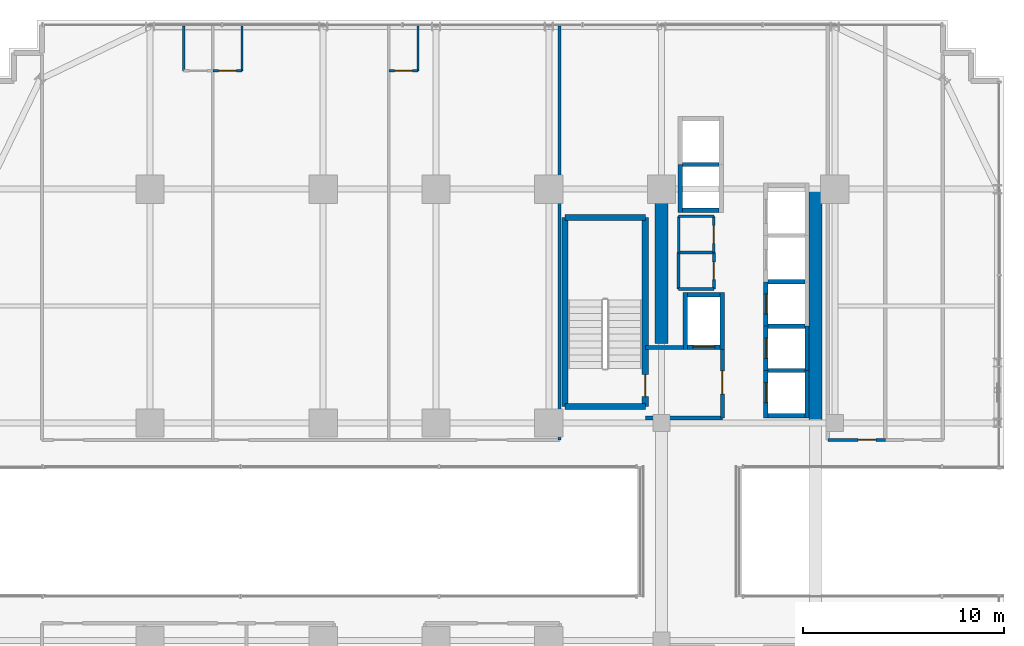
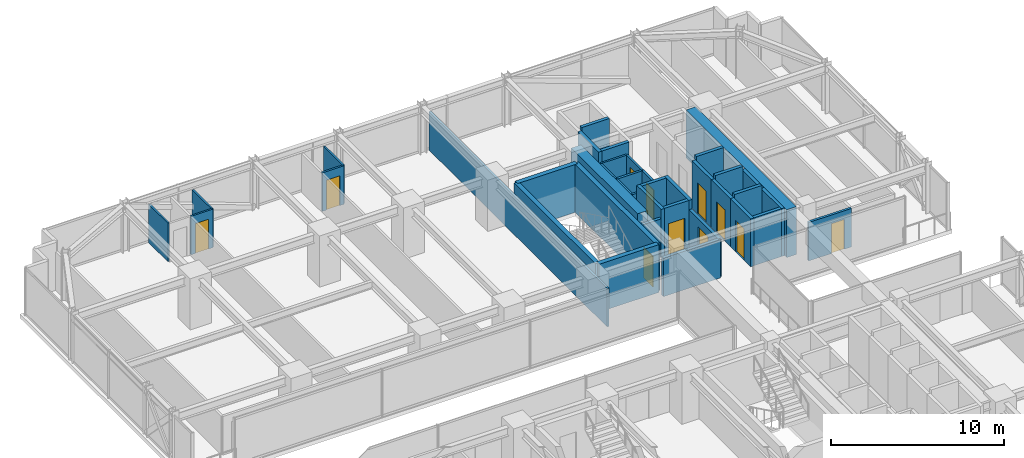
# One storey, part 33 of 38: 39 walls, 11 doors, 11 openings.
"""IFC4 building model written with IfcOpenShell, lengths in metres."""

from ifc_helpers import new_model, si_unit, direction, frame, frame_2d, origin, place, context, subcontext, project, spatial, rectangle, extrude, source, transform, mapped, material, layer, layer_set, type_object, element, fill, save


model = new_model("IFC4")

# Units and contexts
model_context = context("Model", 3, precision=1e-05, world=origin(), true_north=direction((0.0, 1.0)))
body_context = subcontext(model_context, "Body", "Model", "MODEL_VIEW")
ifc_project = project(units=[si_unit("LENGTHUNIT", "METRE"), si_unit("AREAUNIT", "SQUARE_METRE"), si_unit("VOLUMEUNIT", "CUBIC_METRE"), si_unit("PLANEANGLEUNIT", "RADIAN"), si_unit("MASSUNIT", "GRAM", prefix="KILO")], contexts=[model_context])

# Site, building, storey
site_placement = place(None, origin())
site = spatial("IfcSite", under=ifc_project, at=site_placement, CompositionType="ELEMENT")
building_placement = place(site_placement, origin())
building = spatial("IfcBuilding", under=site, at=building_placement, Name="Nahalor Promenade Grand Hotel", CompositionType="ELEMENT")
storey_placement = place(building_placement, frame((0.0, 0.0, 50.64990234375)))
storey = spatial("IfcBuildingStorey", under=building, at=storey_placement, Name="L11", CompositionType="ELEMENT", Elevation=50.64990234375)

# Walls
ifc_material_1 = material(Name="Concrete B-60 (C50/60)", Category="concrete")
ifc_layer_1 = layer(ifc_material_1, 0.64990234375)
ifc_layer_set_1 = layer_set([ifc_layer_1], Name="Concrete B-60 (C50/60)")
wall_type_1 = type_object("IfcWallType", Name="Wall-CoreShear-650", PredefinedType="SHEAR", material=ifc_layer_set_1)
shared_shape_1 = source(origin(), body_context, "Body", "SweptSolid", [
    extrude(rectangle(XDim=7.64990234375, YDim=0.64990234375, at=frame_2d((3.824951171875, 0.0))), origin(), (0.0, 0.0, 1.0), 3.3701171875),
])
wall_1_placement = place(storey_placement, frame((8.39990234375, 9.35009765625, 0.0), z_axis=(0.0, 0.0, 1.0), x_axis=(0.0, 1.0, 0.0)))
element("IfcWall", 1, at=wall_1_placement, inside=storey, type_object=wall_type_1, Name="CWALL-L11-NW", PredefinedType="SHEAR", context=body_context, shape_type="MappedRepresentation", body=[
    mapped(shared_shape_1, transform((0.0, 0.0, 0.0), scale=1.0)),
])
shared_shape_2 = source(origin(), body_context, "Body", "SweptSolid", [
    extrude(rectangle(XDim=11.60009765625, YDim=0.64990234375, at=frame_2d((5.800048828125, 0.0))), origin(), (0.0, 0.0, 1.0), 3.3701171875),
])
wall_2_placement = place(storey_placement, frame((16.050048828125, 5.39990234375, 0.0), z_axis=(0.0, 0.0, 1.0), x_axis=(0.0, 1.0, 0.0)))
element("IfcWall", 2, at=wall_2_placement, inside=storey, type_object=wall_type_1, Name="CWALL-L11-NE", PredefinedType="SHEAR", context=body_context, shape_type="MappedRepresentation", body=[
    mapped(shared_shape_2, transform((0.0, 0.0, 0.0), scale=1.0)),
])
ifc_material_2 = material(Name="Concrete B-50 (C40/50)", Category="concrete")
ifc_layer_2 = layer(ifc_material_2, 0.300048828125)
ifc_layer_set_2 = layer_set([ifc_layer_2], Name="Concrete B-50 (C40/50)")
wall_type_2 = type_object("IfcWallType", Name="Wall-ShaftShear-300", PredefinedType="SHEAR", material=ifc_layer_set_2)
shared_shape_3 = source(origin(), body_context, "Body", "SweptSolid", [
    extrude(rectangle(XDim=3.97998046875, YDim=0.300048828125, at=frame_2d((1.989990234375, 0.0))), origin(), (0.0, 0.0, 1.0), 3.3701171875),
])
for number, where, z_axis, x_axis, name in (
    (3, (3.610107421875, 6.2099609375, 0.0), (0.0, 0.0, 1.0), (1.0, 0.0, 0.0), "L11 Exit Stair ST1 Shaft Wall S"),
    (4, (3.610107421875, 15.590087890625, 0.0), (0.0, 0.0, 1.0), (1.0, 0.0, 0.0), "L11 Exit Stair ST1 Shaft Wall N"),
):
    element("IfcWall", number, at=place(storey_placement, frame(where, z_axis=z_axis, x_axis=x_axis)), inside=storey, type_object=wall_type_2, Name=name, PredefinedType="SHEAR", context=body_context, shape_type="MappedRepresentation", body=[
        mapped(shared_shape_3, transform((0.0, 0.0, 0.0), scale=1.0)),
    ])
shared_shape_4 = source(origin(), body_context, "Body", "SweptSolid", [
    extrude(rectangle(XDim=9.380126953125, YDim=0.300048828125, at=frame_2d((4.68994140625, 0.0))), origin(), (0.0, 0.0, 1.0), 3.3701171875),
])
wall_3_placement = place(storey_placement, frame((3.610107421875, 6.2099609375, 0.0), z_axis=(0.0, 0.0, 1.0), x_axis=(0.0, 1.0, 0.0)))
element("IfcWall", 5, at=wall_3_placement, inside=storey, type_object=wall_type_2, Name="L11 Exit Stair ST1 Shaft Wall W", PredefinedType="SHEAR", context=body_context, shape_type="MappedRepresentation", body=[
    mapped(shared_shape_4, transform((0.0, 0.0, 0.0), scale=1.0)),
])

# Wall, opening, door
wall_4_placement = place(storey_placement, frame((7.590087890625, 6.2099609375, 0.0), z_axis=(0.0, 0.0, 1.0), x_axis=(0.0, 1.0, 0.0)))
wall_4 = element("IfcWall", 6, at=wall_4_placement, inside=storey, type_object=wall_type_2, Name="L11 Exit Stair ST1 Shaft Wall E", PredefinedType="SHEAR", context=body_context, shape_type="MappedRepresentation", body=[
    mapped(shared_shape_4, transform((0.0, 0.0, 0.0), scale=1.0)),
])
opening_1_placement = place(wall_4_placement, frame((0.489990234375, 0.0, 0.0)))
opening_1 = element("IfcOpeningElement", 7, at=opening_1_placement, cuts=wall_4, Name="Opening D-ST1", PredefinedType="OPENING", context=body_context, shape_type="SweptSolid", body=[
    extrude(rectangle(XDim=1.10009765625, YDim=2.14990234375, at=frame_2d((0.550048828125, 1.074951171875))), frame((0.0, 0.159912109375, 0.0), z_axis=(0.0, -1.0, 0.0), x_axis=(1.0, 0.0, 0.0)), (0.0, 0.0, 1.0), 0.320068359375),
])
ifc_material_3 = material(Name="Steel S355JR", Category="steel")
door_type_1 = type_object("IfcDoorType", Name="Door-StairFire-1100", OperationType="NOTDEFINED", PredefinedType="DOOR", material=ifc_material_3)
shared_shape_5 = source(origin(), body_context, "Body", "SweptSolid", [
    extrude(rectangle(XDim=1.10009765625, YDim=2.14990234375, at=frame_2d((0.550048828125, 1.074951171875))), frame((0.0, 0.02490234375, 0.0), z_axis=(0.0, -1.0, 0.0), x_axis=(1.0, 0.0, 0.0)), (0.0, 0.0, 1.0), 0.050048828125),
])
door_1_placement = place(opening_1_placement, origin())
door_1 = element("IfcDoor", 8, at=door_1_placement, inside=storey, type_object=door_type_1, Name="DR-STAIR-ST1-L11", OperationType="SINGLE_SWING_RIGHT", OverallHeight=2.14990234375, OverallWidth=1.10009765625, PredefinedType="DOOR", context=body_context, shape_type="MappedRepresentation", body=[
    mapped(shared_shape_5, transform((0.0, 0.0, 0.0), scale=1.0)),
])
fill(opening_1, door_1)

ifc_layer_3 = layer(ifc_material_2, 0.219970703125)
ifc_layer_set_3 = layer_set([ifc_layer_3], Name="Concrete B-50 (C40/50)")
wall_type_3 = type_object("IfcWallType", Name="Wall-LiftShaft-220", PredefinedType="SHEAR", material=ifc_layer_set_3)
shared_shape_6 = source(origin(), body_context, "Body", "SweptSolid", [
    extrude(rectangle(XDim=2.360107421875, YDim=0.219970703125, at=frame_2d((1.18017578125, 0.0))), origin(), (0.0, 0.0, 1.0), 3.3701171875),
])
wall_5_placement = place(storey_placement, frame((13.580078125, 5.639892578125, 0.0), z_axis=(0.0, 0.0, 1.0), x_axis=(0.0, 1.0, 0.0)))
wall_5 = element("IfcWall", 9, at=wall_5_placement, inside=storey, type_object=wall_type_3, Name="L11 Lift PL1 Hoistway Wall W", PredefinedType="SHEAR", context=body_context, shape_type="MappedRepresentation", body=[
    mapped(shared_shape_6, transform((0.0, 0.0, 0.0), scale=1.0)),
])
opening_2_placement = place(wall_5_placement, frame((0.760009765625, 0.0, 0.0)))
opening_2 = element("IfcOpeningElement", 10, at=opening_2_placement, cuts=wall_5, Name="Opening LD-01", PredefinedType="OPENING", context=body_context, shape_type="SweptSolid", body=[
    extrude(rectangle(XDim=1.0, YDim=2.199951171875, at=frame_2d((0.5, 1.10009765625))), frame((0.0, 0.119873046875, 0.0), z_axis=(0.0, -1.0, 0.0), x_axis=(1.0, 0.0, 0.0)), (0.0, 0.0, 1.0), 0.239990234375),
])
door_type_2 = type_object("IfcDoorType", Name="Door-LiftLanding-1000", OperationType="DOUBLE_DOOR_SLIDING", PredefinedType="DOOR", material=ifc_material_3)
shared_shape_7 = source(origin(), body_context, "Body", "SweptSolid", [
    extrude(rectangle(XDim=1.0, YDim=2.199951171875, at=frame_2d((0.5, 1.10009765625))), frame((0.0, 0.02490234375, 0.0), z_axis=(0.0, -1.0, 0.0), x_axis=(1.0, 0.0, 0.0)), (0.0, 0.0, 1.0), 0.050048828125),
])
door_2_placement = place(opening_2_placement, origin())
door_2 = element("IfcDoor", 11, at=door_2_placement, inside=storey, type_object=door_type_2, Name="DR-LIFT-PL1-L11", OperationType="DOUBLE_DOOR_SLIDING", OverallHeight=2.199951171875, OverallWidth=1.0, PredefinedType="DOOR", context=body_context, shape_type="MappedRepresentation", body=[
    mapped(shared_shape_7, transform((0.0, 0.0, 0.0), scale=1.0)),
])
fill(opening_2, door_2)

# Walls
wall_6_placement = place(storey_placement, frame((15.6201171875, 5.639892578125, 0.0), z_axis=(0.0, 0.0, 1.0), x_axis=(0.0, 1.0, 0.0)))
element("IfcWall", 12, at=wall_6_placement, inside=storey, type_object=wall_type_3, Name="L11 Lift PL1 Hoistway Wall E", PredefinedType="SHEAR", context=body_context, shape_type="MappedRepresentation", body=[
    mapped(shared_shape_6, transform((0.0, 0.0, 0.0), scale=1.0)),
])
shared_shape_8 = source(origin(), body_context, "Body", "SweptSolid", [
    extrude(rectangle(XDim=1.820068359375, YDim=0.219970703125, at=frame_2d((0.91015625, 0.0))), origin(), (0.0, 0.0, 1.0), 3.3701171875),
])
for number, where, z_axis, x_axis, name in (
    (13, (13.68994140625, 5.75, 0.0), (0.0, 0.0, 1.0), (1.0, 0.0, 0.0), "L11 Lift PL1 Hoistway Wall S"),
    (14, (9.43994140625, 15.949951171875, 0.0), (0.0, 0.0, 1.0), (1.0, 0.0, 0.0), "L11 Lift OB1 Hoistway Wall S"),
):
    element("IfcWall", number, at=place(storey_placement, frame(where, z_axis=z_axis, x_axis=x_axis)), inside=storey, type_object=wall_type_3, Name=name, PredefinedType="SHEAR", context=body_context, shape_type="MappedRepresentation", body=[
        mapped(shared_shape_8, transform((0.0, 0.0, 0.0), scale=1.0)),
    ])
shared_shape_9 = source(origin(), body_context, "Body", "SweptSolid", [
    extrude(rectangle(XDim=1.820068359375, YDim=0.219970703125, at=frame_2d((0.91015625, 0.0))), origin(), (0.0, 0.0, 1.0), 3.650146484375),
])
for number, where, z_axis, x_axis, name in (
    (15, (13.68994140625, 8.0, 0.0), (0.0, 0.0, 1.0), (1.0, 0.0, 0.0), "L11 Lift PL1 Hoistway Wall N"),
    (16, (13.68994140625, 10.199951171875, 0.0), (0.0, 0.0, 1.0), (1.0, 0.0, 0.0), "L11 Lift PL2 Hoistway Wall N"),
    (17, (13.68994140625, 12.39990234375, 0.0), (0.0, 0.0, 1.0), (1.0, 0.0, 0.0), "L11 Lift PL3 Hoistway Wall N"),
    (18, (9.43994140625, 18.22509765625, 0.0), (0.0, 0.0, 1.0), (1.0, 0.0, 0.0), "L11 Lift OB1 Hoistway Wall N"),
):
    element("IfcWall", number, at=place(storey_placement, frame(where, z_axis=z_axis, x_axis=x_axis)), inside=storey, type_object=wall_type_3, Name=name, PredefinedType="SHEAR", context=body_context, shape_type="MappedRepresentation", body=[
        mapped(shared_shape_9, transform((0.0, 0.0, 0.0), scale=1.0)),
    ])

# Wall, opening, door
shared_shape_10 = source(origin(), body_context, "Body", "SweptSolid", [
    extrude(rectangle(XDim=2.199951171875, YDim=0.219970703125, at=frame_2d((1.10009765625, 0.0))), origin(), (0.0, 0.0, 1.0), 3.3701171875),
])
wall_7_placement = place(storey_placement, frame((13.580078125, 8.0, 0.0), z_axis=(0.0, 0.0, 1.0), x_axis=(0.0, 1.0, 0.0)))
wall_7 = element("IfcWall", 19, at=wall_7_placement, inside=storey, type_object=wall_type_3, Name="L11 Lift PL2 Hoistway Wall W", PredefinedType="SHEAR", context=body_context, shape_type="MappedRepresentation", body=[
    mapped(shared_shape_10, transform((0.0, 0.0, 0.0), scale=1.0)),
])
opening_3_placement = place(wall_7_placement, frame((0.60009765625, 0.0, 0.0)))
opening_3 = element("IfcOpeningElement", 20, at=opening_3_placement, cuts=wall_7, Name="Opening LD-01", PredefinedType="OPENING", context=body_context, shape_type="SweptSolid", body=[
    extrude(rectangle(XDim=1.0, YDim=2.199951171875, at=frame_2d((0.5, 1.10009765625))), frame((0.0, 0.119873046875, 0.0), z_axis=(0.0, -1.0, 0.0), x_axis=(1.0, 0.0, 0.0)), (0.0, 0.0, 1.0), 0.239990234375),
])
door_3_placement = place(opening_3_placement, origin())
door_3 = element("IfcDoor", 21, at=door_3_placement, inside=storey, type_object=door_type_2, Name="DR-LIFT-PL2-L11", OperationType="DOUBLE_DOOR_SLIDING", OverallHeight=2.199951171875, OverallWidth=1.0, PredefinedType="DOOR", context=body_context, shape_type="MappedRepresentation", body=[
    mapped(shared_shape_7, transform((0.0, 0.0, 0.0), scale=1.0)),
])
fill(opening_3, door_3)

# Wall
wall_8_placement = place(storey_placement, frame((15.6201171875, 8.0, 0.0), z_axis=(0.0, 0.0, 1.0), x_axis=(0.0, 1.0, 0.0)))
element("IfcWall", 22, at=wall_8_placement, inside=storey, type_object=wall_type_3, Name="L11 Lift PL2 Hoistway Wall E", PredefinedType="SHEAR", context=body_context, shape_type="MappedRepresentation", body=[
    mapped(shared_shape_10, transform((0.0, 0.0, 0.0), scale=1.0)),
])

# Wall, opening, door
wall_9_placement = place(storey_placement, frame((13.580078125, 10.199951171875, 0.0), z_axis=(0.0, 0.0, 1.0), x_axis=(0.0, 1.0, 0.0)))
wall_9 = element("IfcWall", 23, at=wall_9_placement, inside=storey, type_object=wall_type_3, Name="L11 Lift PL3 Hoistway Wall W", PredefinedType="SHEAR", context=body_context, shape_type="MappedRepresentation", body=[
    mapped(shared_shape_10, transform((0.0, 0.0, 0.0), scale=1.0)),
])
opening_4_placement = place(wall_9_placement, frame((0.60009765625, 0.0, 0.0)))
opening_4 = element("IfcOpeningElement", 24, at=opening_4_placement, cuts=wall_9, Name="Opening LD-01", PredefinedType="OPENING", context=body_context, shape_type="SweptSolid", body=[
    extrude(rectangle(XDim=1.0, YDim=2.199951171875, at=frame_2d((0.5, 1.10009765625))), frame((0.0, 0.119873046875, 0.0), z_axis=(0.0, -1.0, 0.0), x_axis=(1.0, 0.0, 0.0)), (0.0, 0.0, 1.0), 0.239990234375),
])
door_4_placement = place(opening_4_placement, origin())
door_4 = element("IfcDoor", 25, at=door_4_placement, inside=storey, type_object=door_type_2, Name="DR-LIFT-PL3-L11", OperationType="DOUBLE_DOOR_SLIDING", OverallHeight=2.199951171875, OverallWidth=1.0, PredefinedType="DOOR", context=body_context, shape_type="MappedRepresentation", body=[
    mapped(shared_shape_7, transform((0.0, 0.0, 0.0), scale=1.0)),
])
fill(opening_4, door_4)

# Walls
shared_shape_11 = source(origin(), body_context, "Body", "SweptSolid", [
    extrude(rectangle(XDim=2.385009765625, YDim=0.219970703125, at=frame_2d((1.1923828125, 0.0))), origin(), (0.0, 0.0, 1.0), 3.3701171875),
])
wall_10_placement = place(storey_placement, frame((9.330078125, 15.840087890625, 0.0), z_axis=(0.0, 0.0, 1.0), x_axis=(0.0, 1.0, 0.0)))
element("IfcWall", 26, at=wall_10_placement, inside=storey, type_object=wall_type_3, Name="L11 Lift OB1 Hoistway Wall W", PredefinedType="SHEAR", context=body_context, shape_type="MappedRepresentation", body=[
    mapped(shared_shape_11, transform((0.0, 0.0, 0.0), scale=1.0)),
])
shared_shape_12 = source(origin(), body_context, "Body", "SweptSolid", [
    extrude(rectangle(XDim=2.820068359375, YDim=0.219970703125, at=frame_2d((1.41015625, 0.0))), origin(), (0.0, 0.0, 1.0), 3.3701171875),
])
for number, where, z_axis, x_axis, name in (
    (27, (9.580078125, 9.0400390625, 0.0), (0.0, 0.0, 1.0), (0.0, 1.0, 0.0), "L11 Lift FL1 Hoistway Wall W"),
    (28, (11.419921875, 9.0400390625, 0.0), (0.0, 0.0, 1.0), (0.0, 1.0, 0.0), "L11 Lift FL1 Hoistway Wall E"),
):
    element("IfcWall", number, at=place(storey_placement, frame(where, z_axis=z_axis, x_axis=x_axis)), inside=storey, type_object=wall_type_3, Name=name, PredefinedType="SHEAR", context=body_context, shape_type="MappedRepresentation", body=[
        mapped(shared_shape_12, transform((0.0, 0.0, 0.0), scale=1.0)),
    ])

# Wall, opening, door
shared_shape_13 = source(origin(), body_context, "Body", "SweptSolid", [
    extrude(rectangle(XDim=1.6201171875, YDim=0.219970703125, at=frame_2d((0.81005859375, 0.0))), origin(), (0.0, 0.0, 1.0), 3.3701171875),
])
wall_11_placement = place(storey_placement, frame((9.68994140625, 9.14990234375, 0.0), z_axis=(0.0, 0.0, 1.0), x_axis=(1.0, 0.0, 0.0)))
wall_11 = element("IfcWall", 29, at=wall_11_placement, inside=storey, type_object=wall_type_3, Name="L11 Lift FL1 Hoistway Wall S", PredefinedType="SHEAR", context=body_context, shape_type="MappedRepresentation", body=[
    mapped(shared_shape_13, transform((0.0, 0.0, 0.0), scale=1.0)),
])
opening_5_placement = place(wall_11_placement, frame((0.260009765625, 0.0, 0.0)))
opening_5 = element("IfcOpeningElement", 30, at=opening_5_placement, cuts=wall_11, Name="Opening LD-02", PredefinedType="OPENING", context=body_context, shape_type="SweptSolid", body=[
    extrude(rectangle(XDim=1.10009765625, YDim=2.199951171875, at=frame_2d((0.550048828125, 1.10009765625))), frame((0.0, 0.119873046875, 0.0), z_axis=(0.0, -1.0, 0.0), x_axis=(1.0, 0.0, 0.0)), (0.0, 0.0, 1.0), 0.239990234375),
])
door_type_3 = type_object("IfcDoorType", Name="Door-LiftFF-1100", OperationType="DOUBLE_DOOR_SLIDING", PredefinedType="DOOR", material=ifc_material_3)
shared_shape_14 = source(origin(), body_context, "Body", "SweptSolid", [
    extrude(rectangle(XDim=1.10009765625, YDim=2.199951171875, at=frame_2d((0.550048828125, 1.10009765625))), frame((0.0, 0.02490234375, 0.0), z_axis=(0.0, -1.0, 0.0), x_axis=(1.0, 0.0, 0.0)), (0.0, 0.0, 1.0), 0.050048828125),
])
door_5_placement = place(opening_5_placement, frame((1.10009765625, 0.0, 0.0), z_axis=(0.0, 0.0, 1.0), x_axis=(-1.0, 0.0, 0.0)))
door_5 = element("IfcDoor", 31, at=door_5_placement, inside=storey, type_object=door_type_3, Name="DR-LIFT-FL1-L11", OperationType="DOUBLE_DOOR_SLIDING", OverallHeight=2.199951171875, OverallWidth=1.10009765625, PredefinedType="DOOR", context=body_context, shape_type="MappedRepresentation", body=[
    mapped(shared_shape_14, transform((0.0, 0.0, 0.0), scale=1.0)),
])
fill(opening_5, door_5)

# Walls
wall_12_placement = place(storey_placement, frame((9.68994140625, 11.75, 0.0), z_axis=(0.0, 0.0, 1.0), x_axis=(1.0, 0.0, 0.0)))
element("IfcWall", 32, at=wall_12_placement, inside=storey, type_object=wall_type_3, Name="L11 Lift FL1 Hoistway Wall N", PredefinedType="SHEAR", context=body_context, shape_type="MappedRepresentation", body=[
    mapped(shared_shape_13, transform((0.0, 0.0, 0.0), scale=1.0)),
])
ifc_material_4 = material(Name="Concrete B-40 (C32/40)", Category="concrete")
ifc_layer_4 = layer(ifc_material_4, 0.199951171875)
ifc_layer_set_4 = layer_set([ifc_layer_4], Name="Concrete B-40 (C32/40)")
wall_type_4 = type_object("IfcWallType", Name="Wall-PartFire-200", PredefinedType="PARTITIONING", material=ifc_layer_set_4)
shared_shape_15 = source(origin(), body_context, "Body", "SweptSolid", [
    extrude(rectangle(XDim=3.81982421875, YDim=0.199951171875, at=frame_2d((1.909912109375, 0.0))), origin(), (0.0, 0.0, 1.0), 2.710205078125),
])
wall_13_placement = place(storey_placement, frame((7.60009765625, 5.64990234375, 0.0), z_axis=(0.0, 0.0, 1.0), x_axis=(1.0, 0.0, 0.0)))
element("IfcWall", 33, at=wall_13_placement, inside=storey, type_object=wall_type_4, Name="W-L11-FF1-S", PredefinedType="PARTITIONING", context=body_context, shape_type="MappedRepresentation", body=[
    mapped(shared_shape_15, transform((0.0, 0.0, 0.0), scale=1.0)),
])
shared_shape_16 = source(origin(), body_context, "Body", "SweptSolid", [
    extrude(rectangle(XDim=1.89990234375, YDim=0.199951171875, at=frame_2d((0.949951171875, 0.0))), origin(), (0.0, 0.0, 1.0), 2.710205078125),
])
wall_14_placement = place(storey_placement, frame((7.60009765625, 9.14990234375, 0.0), z_axis=(0.0, 0.0, 1.0), x_axis=(1.0, 0.0, 0.0)))
element("IfcWall", 34, at=wall_14_placement, inside=storey, type_object=wall_type_4, Name="W-L11-FF1-N", PredefinedType="PARTITIONING", context=body_context, shape_type="MappedRepresentation", body=[
    mapped(shared_shape_16, transform((0.0, 0.0, 0.0), scale=1.0)),
])

# Wall, opening, door
shared_shape_17 = source(origin(), body_context, "Body", "SweptSolid", [
    extrude(rectangle(XDim=3.5, YDim=0.199951171875, at=frame_2d((1.75, 0.0))), origin(), (0.0, 0.0, 1.0), 2.710205078125),
])
wall_15_placement = place(storey_placement, frame((11.419921875, 5.64990234375, 0.0), z_axis=(0.0, 0.0, 1.0), x_axis=(0.0, 1.0, 0.0)))
wall_15 = element("IfcWall", 35, at=wall_15_placement, inside=storey, type_object=wall_type_4, Name="W-L11-FF1-E", PredefinedType="PARTITIONING", context=body_context, shape_type="MappedRepresentation", body=[
    mapped(shared_shape_17, transform((0.0, 0.0, 0.0), scale=1.0)),
])
opening_6_placement = place(wall_15_placement, frame((1.175048828125, 0.0, 0.0)))
opening_6 = element("IfcOpeningElement", 36, at=opening_6_placement, cuts=wall_15, Name="Opening D-FF1", PredefinedType="OPENING", context=body_context, shape_type="SweptSolid", body=[
    extrude(rectangle(XDim=1.14990234375, YDim=2.14990234375, at=frame_2d((0.574951171875, 1.074951171875))), frame((0.0, 0.10986328125, 0.0), z_axis=(0.0, -1.0, 0.0), x_axis=(1.0, 0.0, 0.0)), (0.0, 0.0, 1.0), 0.219970703125),
])
door_type_4 = type_object("IfcDoorType", Name="Door-FFLobby-1150", OperationType="NOTDEFINED", PredefinedType="DOOR", material=ifc_material_3)
shared_shape_18 = source(origin(), body_context, "Body", "SweptSolid", [
    extrude(rectangle(XDim=1.14990234375, YDim=2.14990234375, at=frame_2d((0.574951171875, 1.074951171875))), frame((0.0, 0.02490234375, 0.0), z_axis=(0.0, -1.0, 0.0), x_axis=(1.0, 0.0, 0.0)), (0.0, 0.0, 1.0), 0.050048828125),
])
door_6_placement = place(opening_6_placement, frame((1.14990234375, 0.0, 0.0), z_axis=(0.0, 0.0, 1.0), x_axis=(-1.0, 0.0, 0.0)))
door_6 = element("IfcDoor", 37, at=door_6_placement, inside=storey, type_object=door_type_4, Name="DR-L11-FFL1", OperationType="SINGLE_SWING_RIGHT", OverallHeight=2.14990234375, OverallWidth=1.14990234375, PredefinedType="DOOR", context=body_context, shape_type="MappedRepresentation", body=[
    mapped(shared_shape_18, transform((0.0, 0.0, 0.0), scale=1.0)),
])
fill(opening_6, door_6)

# Walls
ifc_material_5 = material(Name="Acoustic Mineral Gypsum", Category="gypsum")
ifc_layer_5 = layer(ifc_material_5, 0.14990234375)
ifc_layer_set_5 = layer_set([ifc_layer_5], Name="Acoustic Mineral Gypsum")
wall_type_5 = type_object("IfcWallType", Name="Wall-PartService-150", PredefinedType="PARTITIONING", material=ifc_layer_set_5)
shared_shape_19 = source(origin(), body_context, "Body", "SweptSolid", [
    extrude(rectangle(XDim=1.75, YDim=0.14990234375, at=frame_2d((0.875, 0.0))), origin(), (0.0, 0.0, 1.0), 2.710205078125),
])
for number, where, z_axis, x_axis, name in (
    (38, (9.25, 12.050048828125, 0.0), (0.0, 0.0, 1.0), (1.0, 0.0, 0.0), "W-L11-CK2A-S"),
    (39, (9.25, 13.85009765625, 0.0), (0.0, 0.0, 1.0), (1.0, 0.0, 0.0), "W-L11-CK2A-N"),
):
    element("IfcWall", number, at=place(storey_placement, frame(where, z_axis=z_axis, x_axis=x_axis)), inside=storey, type_object=wall_type_5, Name=name, PredefinedType="PARTITIONING", context=body_context, shape_type="MappedRepresentation", body=[
        mapped(shared_shape_19, transform((0.0, 0.0, 0.0), scale=1.0)),
    ])
ifc_layer_6 = layer(ifc_material_5, 0.1201171875)
ifc_layer_set_6 = layer_set([ifc_layer_6], Name="Acoustic Mineral Gypsum")
wall_type_6 = type_object("IfcWallType", Name="Wall-PartBath-120", PredefinedType="PARTITIONING", material=ifc_layer_set_6)
shared_shape_20 = source(origin(), body_context, "Body", "SweptSolid", [
    extrude(rectangle(XDim=1.75, YDim=0.1201171875, at=frame_2d((0.875, 0.0))), origin(), (0.0, 0.0, 1.0), 2.710205078125),
])
wall_16_placement = place(storey_placement, frame((9.25, 15.64990234375, 0.0), z_axis=(0.0, 0.0, 1.0), x_axis=(1.0, 0.0, 0.0)))
element("IfcWall", 40, at=wall_16_placement, inside=storey, type_object=wall_type_6, Name="W-L11-CK2B-N", PredefinedType="PARTITIONING", context=body_context, shape_type="MappedRepresentation", body=[
    mapped(shared_shape_20, transform((0.0, 0.0, 0.0), scale=1.0)),
])
ifc_layer_7 = layer(ifc_material_5, 0.139892578125)
ifc_layer_set_7 = layer_set([ifc_layer_7], Name="Acoustic Mineral Gypsum")
wall_type_7 = type_object("IfcWallType", Name="Wall-PartSuite-140", PredefinedType="PARTITIONING", material=ifc_layer_set_7)
shared_shape_21 = source(origin(), body_context, "Body", "SweptSolid", [
    extrude(rectangle(XDim=20.550048828125, YDim=0.139892578125, at=frame_2d((10.27490234375, 0.0))), origin(), (0.0, 0.0, 1.0), 2.710205078125),
])
wall_17_placement = place(storey_placement, frame((3.340087890625, 4.550048828125, 0.0), z_axis=(0.0, 0.0, 1.0), x_axis=(0.0, 1.0, 0.0)))
element("IfcWall", 41, at=wall_17_placement, inside=storey, type_object=wall_type_7, Name="W-L11-NW-ENDE", PredefinedType="PARTITIONING", context=body_context, shape_type="MappedRepresentation", body=[
    mapped(shared_shape_21, transform((0.0, 0.0, 0.0), scale=1.0)),
])

# Wall, opening, door
shared_shape_22 = source(origin(), body_context, "Body", "SweptSolid", [
    extrude(rectangle(XDim=1.449951171875, YDim=0.1201171875, at=frame_2d((0.72509765625, 0.0))), origin(), (0.0, 0.0, 1.0), 2.710205078125),
])
wall_18_placement = place(storey_placement, frame((-13.87890625, 22.8798828125, 0.0), z_axis=(0.0, 0.0, 1.0), x_axis=(1.0, 0.0, 0.0)))
wall_18 = element("IfcWall", 42, at=wall_18_placement, inside=storey, type_object=wall_type_6, Name="W-L11-N2-BH", PredefinedType="PARTITIONING", context=body_context, shape_type="MappedRepresentation", body=[
    mapped(shared_shape_22, transform((0.0, 0.0, 0.0), scale=1.0)),
])
opening_7_placement = place(wall_18_placement, frame((0.284912109375, 0.0, 0.0)))
opening_7 = element("IfcOpeningElement", 43, at=opening_7_placement, cuts=wall_18, Name="Opening D-03", PredefinedType="OPENING", context=body_context, shape_type="SweptSolid", body=[
    extrude(rectangle(XDim=0.8798828125, YDim=2.10009765625, at=frame_2d((0.43994140625, 1.050048828125))), frame((0.0, 0.070068359375, 0.0), z_axis=(0.0, -1.0, 0.0), x_axis=(1.0, 0.0, 0.0)), (0.0, 0.0, 1.0), 0.14013671875),
])
ifc_material_6 = material(Name="Fire-Rated Timber Composite", Category="wood")
door_type_5 = type_object("IfcDoorType", Name="Door-BathSwing-880", OperationType="NOTDEFINED", PredefinedType="DOOR", material=ifc_material_6)
shared_shape_23 = source(origin(), body_context, "Body", "SweptSolid", [
    extrude(rectangle(XDim=0.8798828125, YDim=2.10009765625, at=frame_2d((0.43994140625, 1.050048828125))), frame((0.0, 0.02490234375, 0.0), z_axis=(0.0, -1.0, 0.0), x_axis=(1.0, 0.0, 0.0)), (0.0, 0.0, 1.0), 0.050048828125),
])
door_7_placement = place(opening_7_placement, origin())
door_7 = element("IfcDoor", 44, at=door_7_placement, inside=storey, type_object=door_type_5, Name="DR-L11-N2-BATH", OperationType="SINGLE_SWING_LEFT", OverallHeight=2.10009765625, OverallWidth=0.8798828125, PredefinedType="DOOR", context=body_context, shape_type="MappedRepresentation", body=[
    mapped(shared_shape_23, transform((0.0, 0.0, 0.0), scale=1.0)),
])
fill(opening_7, door_7)

# Walls
shared_shape_24 = source(origin(), body_context, "Body", "SweptSolid", [
    extrude(rectangle(XDim=2.22021484375, YDim=0.1201171875, at=frame_2d((1.110107421875, 0.0))), origin(), (0.0, 0.0, 1.0), 2.710205078125),
])
for number, where, z_axis, x_axis, name in (
    (45, (-15.3291015625, 22.8798828125, 0.0), (0.0, 0.0, 1.0), (0.0, 1.0, 0.0), "W-L11-N1-BV"),
    (46, (-12.428955078125, 22.8798828125, 0.0), (0.0, 0.0, 1.0), (0.0, 1.0, 0.0), "W-L11-N2-BV"),
    (47, (-3.69091796875, 22.8798828125, 0.0), (0.0, 0.0, 1.0), (0.0, 1.0, 0.0), "W-L11-N3-BV"),
):
    element("IfcWall", number, at=place(storey_placement, frame(where, z_axis=z_axis, x_axis=x_axis)), inside=storey, type_object=wall_type_6, Name=name, PredefinedType="PARTITIONING", context=body_context, shape_type="MappedRepresentation", body=[
        mapped(shared_shape_24, transform((0.0, 0.0, 0.0), scale=1.0)),
    ])

# Wall, opening, door
shared_shape_25 = source(origin(), body_context, "Body", "SweptSolid", [
    extrude(rectangle(XDim=1.4501953125, YDim=0.1201171875, at=frame_2d((0.72509765625, 0.0))), origin(), (0.0, 0.0, 1.0), 2.710205078125),
])
wall_19_placement = place(storey_placement, frame((-5.14111328125, 22.8798828125, 0.0), z_axis=(0.0, 0.0, 1.0), x_axis=(1.0, 0.0, 0.0)))
wall_19 = element("IfcWall", 48, at=wall_19_placement, inside=storey, type_object=wall_type_6, Name="W-L11-N3-BH", PredefinedType="PARTITIONING", context=body_context, shape_type="MappedRepresentation", body=[
    mapped(shared_shape_25, transform((0.0, 0.0, 0.0), scale=1.0)),
])
opening_8_placement = place(wall_19_placement, frame((0.284912109375, 0.0, 0.0)))
opening_8 = element("IfcOpeningElement", 49, at=opening_8_placement, cuts=wall_19, Name="Opening D-03", PredefinedType="OPENING", context=body_context, shape_type="SweptSolid", body=[
    extrude(rectangle(XDim=0.8798828125, YDim=2.10009765625, at=frame_2d((0.43994140625, 1.050048828125))), frame((0.0, 0.070068359375, 0.0), z_axis=(0.0, -1.0, 0.0), x_axis=(1.0, 0.0, 0.0)), (0.0, 0.0, 1.0), 0.14013671875),
])
door_8_placement = place(opening_8_placement, origin())
door_8 = element("IfcDoor", 50, at=door_8_placement, inside=storey, type_object=door_type_5, Name="DR-L11-N3-BATH", OperationType="SINGLE_SWING_RIGHT", OverallHeight=2.10009765625, OverallWidth=0.8798828125, PredefinedType="DOOR", context=body_context, shape_type="MappedRepresentation", body=[
    mapped(shared_shape_23, transform((0.0, 0.0, 0.0), scale=1.0)),
])
fill(opening_8, door_8)

# Wall
shared_shape_26 = source(origin(), body_context, "Body", "SweptSolid", [
    extrude(rectangle(XDim=1.800048828125, YDim=0.14990234375, at=frame_2d((0.89990234375, 0.0))), origin(), (0.0, 0.0, 1.0), 2.710205078125),
])
wall_20_placement = place(storey_placement, frame((9.25, 12.050048828125, 0.0), z_axis=(0.0, 0.0, 1.0), x_axis=(0.0, 1.0, 0.0)))
element("IfcWall", 51, at=wall_20_placement, inside=storey, type_object=wall_type_5, Name="W-L11-CK2A-W", PredefinedType="PARTITIONING", context=body_context, shape_type="MappedRepresentation", body=[
    mapped(shared_shape_26, transform((0.0, 0.0, 0.0), scale=1.0)),
])

# Wall, opening, door
wall_21_placement = place(storey_placement, frame((11.0, 12.050048828125, 0.0), z_axis=(0.0, 0.0, 1.0), x_axis=(0.0, 1.0, 0.0)))
wall_21 = element("IfcWall", 52, at=wall_21_placement, inside=storey, type_object=wall_type_5, Name="W-L11-CK2A-E", PredefinedType="PARTITIONING", context=body_context, shape_type="MappedRepresentation", body=[
    mapped(shared_shape_26, transform((0.0, 0.0, 0.0), scale=1.0)),
])
opening_9_placement = place(wall_21_placement, frame((0.4599609375, 0.0, 0.0)))
opening_9 = element("IfcOpeningElement", 53, at=opening_9_placement, cuts=wall_21, Name="Opening D-03", PredefinedType="OPENING", context=body_context, shape_type="SweptSolid", body=[
    extrude(rectangle(XDim=0.8798828125, YDim=2.10009765625, at=frame_2d((0.43994140625, 1.050048828125))), frame((0.0, 0.0849609375, 0.0), z_axis=(0.0, -1.0, 0.0), x_axis=(1.0, 0.0, 0.0)), (0.0, 0.0, 1.0), 0.169921875),
])
door_9_placement = place(opening_9_placement, origin())
door_9 = element("IfcDoor", 54, at=door_9_placement, inside=storey, type_object=door_type_5, Name="DR-L11-CK2A", OperationType="SINGLE_SWING_RIGHT", OverallHeight=2.10009765625, OverallWidth=0.8798828125, PredefinedType="DOOR", context=body_context, shape_type="MappedRepresentation", body=[
    mapped(shared_shape_23, transform((0.0, 0.0, 0.0), scale=1.0)),
])
fill(opening_9, door_9)

# Wall
shared_shape_27 = source(origin(), body_context, "Body", "SweptSolid", [
    extrude(rectangle(XDim=1.7998046875, YDim=0.1201171875, at=frame_2d((0.89990234375, 0.0))), origin(), (0.0, 0.0, 1.0), 2.710205078125),
])
wall_22_placement = place(storey_placement, frame((9.25, 13.85009765625, 0.0), z_axis=(0.0, 0.0, 1.0), x_axis=(0.0, 1.0, 0.0)))
element("IfcWall", 55, at=wall_22_placement, inside=storey, type_object=wall_type_6, Name="W-L11-CK2B-W", PredefinedType="PARTITIONING", context=body_context, shape_type="MappedRepresentation", body=[
    mapped(shared_shape_27, transform((0.0, 0.0, 0.0), scale=1.0)),
])

# Wall, opening, door
wall_23_placement = place(storey_placement, frame((11.0, 13.85009765625, 0.0), z_axis=(0.0, 0.0, 1.0), x_axis=(0.0, 1.0, 0.0)))
wall_23 = element("IfcWall", 56, at=wall_23_placement, inside=storey, type_object=wall_type_6, Name="W-L11-CK2B-E", PredefinedType="PARTITIONING", context=body_context, shape_type="MappedRepresentation", body=[
    mapped(shared_shape_27, transform((0.0, 0.0, 0.0), scale=1.0)),
])
opening_10_placement = place(wall_23_placement, frame((0.4599609375, 0.0, 0.0)))
opening_10 = element("IfcOpeningElement", 57, at=opening_10_placement, cuts=wall_23, Name="Opening D-03", PredefinedType="OPENING", context=body_context, shape_type="SweptSolid", body=[
    extrude(rectangle(XDim=0.8798828125, YDim=2.10009765625, at=frame_2d((0.43994140625, 1.050048828125))), frame((0.0, 0.070068359375, 0.0), z_axis=(0.0, -1.0, 0.0), x_axis=(1.0, 0.0, 0.0)), (0.0, 0.0, 1.0), 0.14013671875),
])
door_10_placement = place(opening_10_placement, origin())
door_10 = element("IfcDoor", 58, at=door_10_placement, inside=storey, type_object=door_type_5, Name="DR-L11-CK2B", OperationType="SINGLE_SWING_LEFT", OverallHeight=2.10009765625, OverallWidth=0.8798828125, PredefinedType="DOOR", context=body_context, shape_type="MappedRepresentation", body=[
    mapped(shared_shape_23, transform((0.0, 0.0, 0.0), scale=1.0)),
])
fill(opening_10, door_10)

ifc_layer_8 = layer(ifc_material_5, 0.159912109375)
ifc_layer_set_8 = layer_set([ifc_layer_8], Name="Acoustic Mineral Gypsum")
wall_type_8 = type_object("IfcWallType", Name="Wall-PartCorridor-160", PredefinedType="PARTITIONING", material=ifc_layer_set_8)
shared_shape_28 = source(origin(), body_context, "Body", "SweptSolid", [
    extrude(rectangle(XDim=2.85498046875, YDim=0.159912109375, at=frame_2d((1.427490234375, 0.0))), origin(), (0.0, 0.0, 1.0), 2.710205078125),
])
wall_24_placement = place(storey_placement, frame((16.64990234375, 4.550048828125, 0.0), z_axis=(0.0, 0.0, 1.0), x_axis=(1.0, 0.0, 0.0)))
wall_24 = element("IfcWall", 59, at=wall_24_placement, inside=storey, type_object=wall_type_8, Name="W-L11-ENE1-S", PredefinedType="PARTITIONING", context=body_context, shape_type="MappedRepresentation", body=[
    mapped(shared_shape_28, transform((0.0, 0.0, 0.0), scale=1.0)),
])
opening_11_placement = place(wall_24_placement, frame((1.510986328125, 0.0, 0.0)))
opening_11 = element("IfcOpeningElement", 60, at=opening_11_placement, cuts=wall_24, Name="Opening D-03", PredefinedType="OPENING", context=body_context, shape_type="SweptSolid", body=[
    extrude(rectangle(XDim=0.8798828125, YDim=2.10009765625, at=frame_2d((0.43994140625, 1.050048828125))), frame((0.0, 0.08984375, 0.0), z_axis=(0.0, -1.0, 0.0), x_axis=(1.0, 0.0, 0.0)), (0.0, 0.0, 1.0), 0.179931640625),
])
door_11_placement = place(opening_11_placement, origin())
door_11 = element("IfcDoor", 61, at=door_11_placement, inside=storey, type_object=door_type_5, Name="DR-L11-ENE1", OperationType="SINGLE_SWING_RIGHT", OverallHeight=2.10009765625, OverallWidth=0.8798828125, PredefinedType="DOOR", context=body_context, shape_type="MappedRepresentation", body=[
    mapped(shared_shape_23, transform((0.0, 0.0, 0.0), scale=1.0)),
])
fill(opening_11, door_11)

save(model, "model.ifc")
